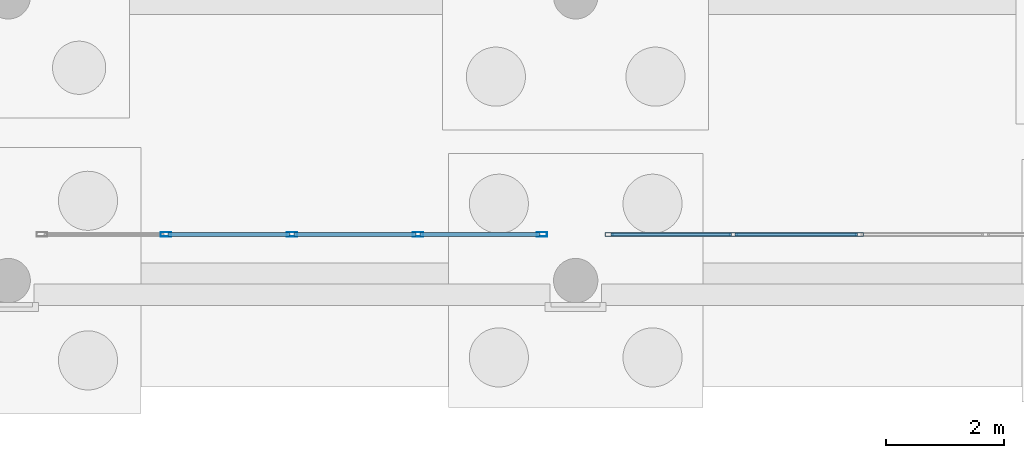
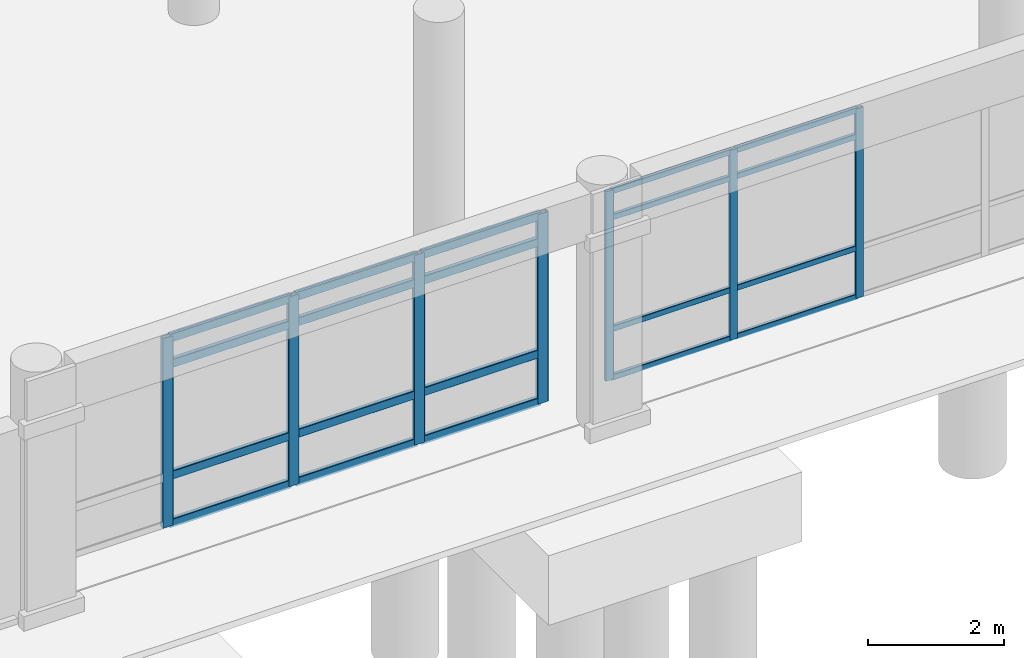
# One storey, part 123 of 196: 27 members, 2 elements without a shape of their own.
"""IFC4 building model written with IfcOpenShell, lengths in metres."""

from ifc_helpers import new_model, si_unit, direction, frame, origin, origin_2d, place, context, subcontext, project, spatial, hollow_rectangle, extrude, material, layer, layer_set, material_profile, profile_set, type_object, element, aggregate, save


model = new_model("IFC4")

# Units and contexts
model_context = context("Model", 3, precision=1e-05, world=origin(), true_north=direction((0.0, 1.0)))
body_context = subcontext(model_context, "Body", "Model", "MODEL_VIEW")
ifc_project = project(units=[si_unit("LENGTHUNIT", "METRE"), si_unit("AREAUNIT", "SQUARE_METRE"), si_unit("VOLUMEUNIT", "CUBIC_METRE"), si_unit("PLANEANGLEUNIT", "RADIAN"), si_unit("MASSUNIT", "GRAM", prefix="KILO")], contexts=[model_context])

# Site, building, storey
site_placement = place(None, origin())
site = spatial("IfcSite", under=ifc_project, at=site_placement, CompositionType="ELEMENT")
building_placement = place(site_placement, origin())
building = spatial("IfcBuilding", under=site, at=building_placement, Name="Asteropetra Specialist Clinic", CompositionType="ELEMENT")
storey_placement = place(building_placement, origin())
storey = spatial("IfcBuildingStorey", under=building, at=storey_placement, Name="L00", CompositionType="ELEMENT", Elevation=0.0)

# Curtain wall, members
ifc_material_1 = material(Name="Aluminium and low-E glass", Category="aluminium")
ifc_layer_1 = layer(ifc_material_1, 0.14990234375)
ifc_layer_set_1 = layer_set([ifc_layer_1], Name="Aluminium and low-E glass")
curtain_wall_type_1 = type_object("IfcCurtainWallType", Name="CW-SYS-11", PredefinedType="USERDEFINED", material=ifc_layer_set_1)
curtain_wall_1_placement = place(storey_placement, origin())
curtain_wall_1 = element("IfcCurtainWall", 1, at=curtain_wall_1_placement, inside=storey, type_object=curtain_wall_type_1, Name="Curtain Wall CW-194", ObjectType="STICK GLAZED COLONNADE", PredefinedType="USERDEFINED")
ifc_material_2 = material(Name="Aluminium 6063-T6", Category="aluminium")
ifc_material_profile_1 = material_profile(ifc_material_2, hollow_rectangle(XDim=0.06005859375, YDim=0.135009765625, WallThickness=0.00341796875, InnerFilletRadius=0.00341796875, OuterFilletRadius=0.007080078125, at=origin_2d()), Name="MUL 135x60x3.5")
ifc_profile_set_1 = profile_set([ifc_material_profile_1], Name="Aluminium 6063-T6")
member_type_1 = type_object("IfcMemberType", Name="CWM-135x60", PredefinedType="MULLION", material=ifc_profile_set_1)
member_1_placement = place(storey_placement, frame((134.965087890625, 0.780029296875, 0.0), z_axis=(0.0, 0.0, 1.0), x_axis=(0.0, 1.0, 0.0)))
member_1 = element("IfcMember", 2, at=member_1_placement, type_object=member_type_1, Name="CW-194 mullion 1", PredefinedType="MULLION", context=body_context, shape_type="SweptSolid", body=[
    extrude(hollow_rectangle(XDim=0.06005859375, YDim=0.135009765625, WallThickness=0.00341796875, InnerFilletRadius=0.00341796875, OuterFilletRadius=0.007080078125, at=origin_2d()), origin(), (0.0, 0.0, 1.0), 3.39990234375),
])
member_2_placement = place(storey_placement, frame((137.0673828125, 0.780029296875, 0.0), z_axis=(0.0, 0.0, 1.0), x_axis=(0.0, 1.0, 0.0)))
member_2 = element("IfcMember", 3, at=member_2_placement, type_object=member_type_1, Name="CW-194 mullion 2", PredefinedType="MULLION", context=body_context, shape_type="SweptSolid", body=[
    extrude(hollow_rectangle(XDim=0.06005859375, YDim=0.135009765625, WallThickness=0.00341796875, InnerFilletRadius=0.00341796875, OuterFilletRadius=0.007080078125, at=origin_2d()), origin(), (0.0, 0.0, 1.0), 3.39990234375),
])
member_3_placement = place(storey_placement, frame((139.199951171875, 0.780029296875, 0.0), z_axis=(0.0, 0.0, 1.0), x_axis=(0.0, 1.0, 0.0)))
member_3 = element("IfcMember", 4, at=member_3_placement, type_object=member_type_1, Name="CW-194 mullion 3", PredefinedType="MULLION", context=body_context, shape_type="SweptSolid", body=[
    extrude(hollow_rectangle(XDim=0.06005859375, YDim=0.135009765625, WallThickness=0.00341796875, InnerFilletRadius=0.00341796875, OuterFilletRadius=0.007080078125, at=origin_2d()), origin(), (0.0, 0.0, 1.0), 3.39990234375),
])

ifc_material_3 = material(Name="Aluminium and low-E glass", Category="aluminium")
ifc_layer_2 = layer(ifc_material_3, 0.135009765625)
ifc_layer_set_2 = layer_set([ifc_layer_2], Name="Aluminium and low-E glass")
curtain_wall_type_2 = type_object("IfcCurtainWallType", Name="CW-SYS-09", PredefinedType="USERDEFINED", material=ifc_layer_set_2)
curtain_wall_2_placement = place(storey_placement, origin())
curtain_wall_2 = element("IfcCurtainWall", 5, at=curtain_wall_2_placement, inside=storey, type_object=curtain_wall_type_2, Name="Curtain Wall CW-192", ObjectType="STICK GLAZED COLONNADE", PredefinedType="USERDEFINED")
ifc_material_4 = material(Name="Aluminium 6063-T6", Category="aluminium")
ifc_material_profile_2 = material_profile(ifc_material_4, hollow_rectangle(XDim=0.074951171875, YDim=0.179931640625, WallThickness=0.00390625, InnerFilletRadius=0.00390625, OuterFilletRadius=0.008056640625, at=origin_2d()), Name="MUL 180x75x4.0")
ifc_profile_set_2 = profile_set([ifc_material_profile_2], Name="Aluminium 6063-T6")
member_type_2 = type_object("IfcMemberType", Name="CWM-180x75", PredefinedType="MULLION", material=ifc_profile_set_2)
member_4_placement = place(storey_placement, frame((127.467529296875, 0.780029296875, 0.0), z_axis=(0.0, 0.0, 1.0), x_axis=(0.0, 1.0, 0.0)))
member_4 = element("IfcMember", 6, at=member_4_placement, type_object=member_type_2, Name="CW-192 mullion 2", PredefinedType="MULLION", context=body_context, shape_type="SweptSolid", body=[
    extrude(hollow_rectangle(XDim=0.074951171875, YDim=0.179931640625, WallThickness=0.00390625, InnerFilletRadius=0.00390625, OuterFilletRadius=0.008056640625, at=origin_2d()), origin(), (0.0, 0.0, 1.0), 3.39990234375),
])
member_5_placement = place(storey_placement, frame((129.60009765625, 0.780029296875, 0.0), z_axis=(0.0, 0.0, 1.0), x_axis=(0.0, 1.0, 0.0)))
member_5 = element("IfcMember", 7, at=member_5_placement, type_object=member_type_2, Name="CW-192 mullion 3", PredefinedType="MULLION", context=body_context, shape_type="SweptSolid", body=[
    extrude(hollow_rectangle(XDim=0.074951171875, YDim=0.179931640625, WallThickness=0.00390625, InnerFilletRadius=0.00390625, OuterFilletRadius=0.008056640625, at=origin_2d()), origin(), (0.0, 0.0, 1.0), 3.39990234375),
])
member_6_placement = place(storey_placement, frame((131.732421875, 0.780029296875, 0.0), z_axis=(0.0, 0.0, 1.0), x_axis=(0.0, 1.0, 0.0)))
member_6 = element("IfcMember", 8, at=member_6_placement, type_object=member_type_2, Name="CW-192 mullion 4", PredefinedType="MULLION", context=body_context, shape_type="SweptSolid", body=[
    extrude(hollow_rectangle(XDim=0.074951171875, YDim=0.179931640625, WallThickness=0.00390625, InnerFilletRadius=0.00390625, OuterFilletRadius=0.008056640625, at=origin_2d()), origin(), (0.0, 0.0, 1.0), 3.39990234375),
])
member_7_placement = place(storey_placement, frame((133.827392578125, 0.780029296875, 0.0), z_axis=(0.0, 0.0, 1.0), x_axis=(0.0, 1.0, 0.0)))
member_7 = element("IfcMember", 9, at=member_7_placement, type_object=member_type_2, Name="CW-192 mullion 5", PredefinedType="MULLION", context=body_context, shape_type="SweptSolid", body=[
    extrude(hollow_rectangle(XDim=0.074951171875, YDim=0.179931640625, WallThickness=0.00390625, InnerFilletRadius=0.00390625, OuterFilletRadius=0.008056640625, at=origin_2d()), origin(), (0.0, 0.0, 1.0), 3.39990234375),
])

# Member
ifc_material_5 = material(Name="Aluminium 6063-T6", Category="aluminium")
ifc_material_profile_3 = material_profile(ifc_material_5, hollow_rectangle(XDim=0.06005859375, YDim=0.10009765625, WallThickness=0.00341796875, InnerFilletRadius=0.00341796875, OuterFilletRadius=0.007080078125, at=origin_2d()), Name="TRN 100x60x3.5")
ifc_profile_set_3 = profile_set([ifc_material_profile_3], Name="Aluminium 6063-T6")
member_type_3 = type_object("IfcMemberType", Name="CWT-100x60", PredefinedType="USERDEFINED", material=ifc_profile_set_3)
member_8_placement = place(storey_placement, frame((134.9951171875, 0.780029296875, 0.030029296875), z_axis=(1.0, 0.0, 0.0), x_axis=(0.0, 1.0, 0.0)))
member_8 = element("IfcMember", 10, at=member_8_placement, type_object=member_type_3, Name="CW-194 transom 1.1", ObjectType="TRANSOM", PredefinedType="USERDEFINED", context=body_context, shape_type="SweptSolid", body=[
    extrude(hollow_rectangle(XDim=0.06005859375, YDim=0.10009765625, WallThickness=0.00341796875, InnerFilletRadius=0.00341796875, OuterFilletRadius=0.007080078125, at=origin_2d()), origin(), (0.0, 0.0, 1.0), 2.04248046875),
])

member_9_placement = place(storey_placement, frame((134.9951171875, 0.780029296875, 0.89990234375), z_axis=(1.0, 0.0, 0.0), x_axis=(0.0, 1.0, 0.0)))
member_9 = element("IfcMember", 11, at=member_9_placement, type_object=member_type_3, Name="CW-194 transom 1.2", ObjectType="TRANSOM", PredefinedType="USERDEFINED", context=body_context, shape_type="SweptSolid", body=[
    extrude(hollow_rectangle(XDim=0.06005859375, YDim=0.10009765625, WallThickness=0.00341796875, InnerFilletRadius=0.00341796875, OuterFilletRadius=0.007080078125, at=origin_2d()), origin(), (0.0, 0.0, 1.0), 2.04248046875),
])

member_10_placement = place(storey_placement, frame((134.9951171875, 0.780029296875, 2.89990234375), z_axis=(1.0, 0.0, 0.0), x_axis=(0.0, 1.0, 0.0)))
member_10 = element("IfcMember", 12, at=member_10_placement, type_object=member_type_3, Name="CW-194 transom 1.3", ObjectType="TRANSOM", PredefinedType="USERDEFINED", context=body_context, shape_type="SweptSolid", body=[
    extrude(hollow_rectangle(XDim=0.06005859375, YDim=0.10009765625, WallThickness=0.00341796875, InnerFilletRadius=0.00341796875, OuterFilletRadius=0.007080078125, at=origin_2d()), origin(), (0.0, 0.0, 1.0), 2.04248046875),
])

member_11_placement = place(storey_placement, frame((134.9951171875, 0.780029296875, 3.3701171875), z_axis=(1.0, 0.0, 0.0), x_axis=(0.0, 1.0, 0.0)))
member_11 = element("IfcMember", 13, at=member_11_placement, type_object=member_type_3, Name="CW-194 transom 1.4", ObjectType="TRANSOM", PredefinedType="USERDEFINED", context=body_context, shape_type="SweptSolid", body=[
    extrude(hollow_rectangle(XDim=0.06005859375, YDim=0.10009765625, WallThickness=0.00341796875, InnerFilletRadius=0.00341796875, OuterFilletRadius=0.007080078125, at=origin_2d()), origin(), (0.0, 0.0, 1.0), 2.04248046875),
])

member_12_placement = place(storey_placement, frame((137.097412109375, 0.780029296875, 0.030029296875), z_axis=(1.0, 0.0, 0.0), x_axis=(0.0, 1.0, 0.0)))
member_12 = element("IfcMember", 14, at=member_12_placement, type_object=member_type_3, Name="CW-194 transom 2.1", ObjectType="TRANSOM", PredefinedType="USERDEFINED", context=body_context, shape_type="SweptSolid", body=[
    extrude(hollow_rectangle(XDim=0.06005859375, YDim=0.10009765625, WallThickness=0.00341796875, InnerFilletRadius=0.00341796875, OuterFilletRadius=0.007080078125, at=origin_2d()), origin(), (0.0, 0.0, 1.0), 2.072509765625),
])

member_13_placement = place(storey_placement, frame((137.097412109375, 0.780029296875, 0.89990234375), z_axis=(1.0, 0.0, 0.0), x_axis=(0.0, 1.0, 0.0)))
member_13 = element("IfcMember", 15, at=member_13_placement, type_object=member_type_3, Name="CW-194 transom 2.2", ObjectType="TRANSOM", PredefinedType="USERDEFINED", context=body_context, shape_type="SweptSolid", body=[
    extrude(hollow_rectangle(XDim=0.06005859375, YDim=0.10009765625, WallThickness=0.00341796875, InnerFilletRadius=0.00341796875, OuterFilletRadius=0.007080078125, at=origin_2d()), origin(), (0.0, 0.0, 1.0), 2.072509765625),
])

member_14_placement = place(storey_placement, frame((137.097412109375, 0.780029296875, 2.89990234375), z_axis=(1.0, 0.0, 0.0), x_axis=(0.0, 1.0, 0.0)))
member_14 = element("IfcMember", 16, at=member_14_placement, type_object=member_type_3, Name="CW-194 transom 2.3", ObjectType="TRANSOM", PredefinedType="USERDEFINED", context=body_context, shape_type="SweptSolid", body=[
    extrude(hollow_rectangle(XDim=0.06005859375, YDim=0.10009765625, WallThickness=0.00341796875, InnerFilletRadius=0.00341796875, OuterFilletRadius=0.007080078125, at=origin_2d()), origin(), (0.0, 0.0, 1.0), 2.072509765625),
])

member_15_placement = place(storey_placement, frame((137.097412109375, 0.780029296875, 3.3701171875), z_axis=(1.0, 0.0, 0.0), x_axis=(0.0, 1.0, 0.0)))
member_15 = element("IfcMember", 17, at=member_15_placement, type_object=member_type_3, Name="CW-194 transom 2.4", ObjectType="TRANSOM", PredefinedType="USERDEFINED", context=body_context, shape_type="SweptSolid", body=[
    extrude(hollow_rectangle(XDim=0.06005859375, YDim=0.10009765625, WallThickness=0.00341796875, InnerFilletRadius=0.00341796875, OuterFilletRadius=0.007080078125, at=origin_2d()), origin(), (0.0, 0.0, 1.0), 2.072509765625),
])

aggregate(curtain_wall_1, [member_1, member_2, member_3, member_8, member_9, member_10, member_11, member_12, member_13, member_14, member_15])

ifc_material_6 = material(Name="Aluminium 6063-T6", Category="aluminium")
ifc_material_profile_4 = material_profile(ifc_material_6, hollow_rectangle(XDim=0.074951171875, YDim=0.14990234375, WallThickness=0.00390625, InnerFilletRadius=0.00390625, OuterFilletRadius=0.008056640625, at=origin_2d()), Name="TRN 150x75x4.0")
ifc_profile_set_4 = profile_set([ifc_material_profile_4], Name="Aluminium 6063-T6")
member_type_4 = type_object("IfcMemberType", Name="CWT-150x75", PredefinedType="USERDEFINED", material=ifc_profile_set_4)
member_16_placement = place(storey_placement, frame((127.5048828125, 0.780029296875, 0.03759765625), z_axis=(1.0, 0.0, 0.0), x_axis=(0.0, 1.0, 0.0)))
member_16 = element("IfcMember", 18, at=member_16_placement, type_object=member_type_4, Name="CW-192 transom 2.1", ObjectType="TRANSOM", PredefinedType="USERDEFINED", context=body_context, shape_type="SweptSolid", body=[
    extrude(hollow_rectangle(XDim=0.074951171875, YDim=0.14990234375, WallThickness=0.00390625, InnerFilletRadius=0.00390625, OuterFilletRadius=0.008056640625, at=origin_2d()), origin(), (0.0, 0.0, 1.0), 2.0576171875),
])

member_17_placement = place(storey_placement, frame((127.5048828125, 0.780029296875, 0.89990234375), z_axis=(1.0, 0.0, 0.0), x_axis=(0.0, 1.0, 0.0)))
member_17 = element("IfcMember", 19, at=member_17_placement, type_object=member_type_4, Name="CW-192 transom 2.2", ObjectType="TRANSOM", PredefinedType="USERDEFINED", context=body_context, shape_type="SweptSolid", body=[
    extrude(hollow_rectangle(XDim=0.074951171875, YDim=0.14990234375, WallThickness=0.00390625, InnerFilletRadius=0.00390625, OuterFilletRadius=0.008056640625, at=origin_2d()), origin(), (0.0, 0.0, 1.0), 2.0576171875),
])

member_18_placement = place(storey_placement, frame((127.5048828125, 0.780029296875, 2.89990234375), z_axis=(1.0, 0.0, 0.0), x_axis=(0.0, 1.0, 0.0)))
member_18 = element("IfcMember", 20, at=member_18_placement, type_object=member_type_4, Name="CW-192 transom 2.3", ObjectType="TRANSOM", PredefinedType="USERDEFINED", context=body_context, shape_type="SweptSolid", body=[
    extrude(hollow_rectangle(XDim=0.074951171875, YDim=0.14990234375, WallThickness=0.00390625, InnerFilletRadius=0.00390625, OuterFilletRadius=0.008056640625, at=origin_2d()), origin(), (0.0, 0.0, 1.0), 2.0576171875),
])

member_19_placement = place(storey_placement, frame((127.5048828125, 0.780029296875, 3.362548828125), z_axis=(1.0, 0.0, 0.0), x_axis=(0.0, 1.0, 0.0)))
member_19 = element("IfcMember", 21, at=member_19_placement, type_object=member_type_4, Name="CW-192 transom 2.4", ObjectType="TRANSOM", PredefinedType="USERDEFINED", context=body_context, shape_type="SweptSolid", body=[
    extrude(hollow_rectangle(XDim=0.074951171875, YDim=0.14990234375, WallThickness=0.00390625, InnerFilletRadius=0.00390625, OuterFilletRadius=0.008056640625, at=origin_2d()), origin(), (0.0, 0.0, 1.0), 2.0576171875),
])

member_20_placement = place(storey_placement, frame((129.637451171875, 0.780029296875, 0.03759765625), z_axis=(1.0, 0.0, 0.0), x_axis=(0.0, 1.0, 0.0)))
member_20 = element("IfcMember", 22, at=member_20_placement, type_object=member_type_4, Name="CW-192 transom 3.1", ObjectType="TRANSOM", PredefinedType="USERDEFINED", context=body_context, shape_type="SweptSolid", body=[
    extrude(hollow_rectangle(XDim=0.074951171875, YDim=0.14990234375, WallThickness=0.00390625, InnerFilletRadius=0.00390625, OuterFilletRadius=0.008056640625, at=origin_2d()), origin(), (0.0, 0.0, 1.0), 2.0576171875),
])

member_21_placement = place(storey_placement, frame((129.637451171875, 0.780029296875, 0.89990234375), z_axis=(1.0, 0.0, 0.0), x_axis=(0.0, 1.0, 0.0)))
member_21 = element("IfcMember", 23, at=member_21_placement, type_object=member_type_4, Name="CW-192 transom 3.2", ObjectType="TRANSOM", PredefinedType="USERDEFINED", context=body_context, shape_type="SweptSolid", body=[
    extrude(hollow_rectangle(XDim=0.074951171875, YDim=0.14990234375, WallThickness=0.00390625, InnerFilletRadius=0.00390625, OuterFilletRadius=0.008056640625, at=origin_2d()), origin(), (0.0, 0.0, 1.0), 2.0576171875),
])

member_22_placement = place(storey_placement, frame((129.637451171875, 0.780029296875, 2.89990234375), z_axis=(1.0, 0.0, 0.0), x_axis=(0.0, 1.0, 0.0)))
member_22 = element("IfcMember", 24, at=member_22_placement, type_object=member_type_4, Name="CW-192 transom 3.3", ObjectType="TRANSOM", PredefinedType="USERDEFINED", context=body_context, shape_type="SweptSolid", body=[
    extrude(hollow_rectangle(XDim=0.074951171875, YDim=0.14990234375, WallThickness=0.00390625, InnerFilletRadius=0.00390625, OuterFilletRadius=0.008056640625, at=origin_2d()), origin(), (0.0, 0.0, 1.0), 2.0576171875),
])

member_23_placement = place(storey_placement, frame((129.637451171875, 0.780029296875, 3.362548828125), z_axis=(1.0, 0.0, 0.0), x_axis=(0.0, 1.0, 0.0)))
member_23 = element("IfcMember", 25, at=member_23_placement, type_object=member_type_4, Name="CW-192 transom 3.4", ObjectType="TRANSOM", PredefinedType="USERDEFINED", context=body_context, shape_type="SweptSolid", body=[
    extrude(hollow_rectangle(XDim=0.074951171875, YDim=0.14990234375, WallThickness=0.00390625, InnerFilletRadius=0.00390625, OuterFilletRadius=0.008056640625, at=origin_2d()), origin(), (0.0, 0.0, 1.0), 2.0576171875),
])

member_24_placement = place(storey_placement, frame((131.77001953125, 0.780029296875, 0.03759765625), z_axis=(1.0, 0.0, 0.0), x_axis=(0.0, 1.0, 0.0)))
member_24 = element("IfcMember", 26, at=member_24_placement, type_object=member_type_4, Name="CW-192 transom 4.1", ObjectType="TRANSOM", PredefinedType="USERDEFINED", context=body_context, shape_type="SweptSolid", body=[
    extrude(hollow_rectangle(XDim=0.074951171875, YDim=0.14990234375, WallThickness=0.00390625, InnerFilletRadius=0.00390625, OuterFilletRadius=0.008056640625, at=origin_2d()), origin(), (0.0, 0.0, 1.0), 2.02001953125),
])

member_25_placement = place(storey_placement, frame((131.77001953125, 0.780029296875, 0.89990234375), z_axis=(1.0, 0.0, 0.0), x_axis=(0.0, 1.0, 0.0)))
member_25 = element("IfcMember", 27, at=member_25_placement, type_object=member_type_4, Name="CW-192 transom 4.2", ObjectType="TRANSOM", PredefinedType="USERDEFINED", context=body_context, shape_type="SweptSolid", body=[
    extrude(hollow_rectangle(XDim=0.074951171875, YDim=0.14990234375, WallThickness=0.00390625, InnerFilletRadius=0.00390625, OuterFilletRadius=0.008056640625, at=origin_2d()), origin(), (0.0, 0.0, 1.0), 2.02001953125),
])

member_26_placement = place(storey_placement, frame((131.77001953125, 0.780029296875, 2.89990234375), z_axis=(1.0, 0.0, 0.0), x_axis=(0.0, 1.0, 0.0)))
member_26 = element("IfcMember", 28, at=member_26_placement, type_object=member_type_4, Name="CW-192 transom 4.3", ObjectType="TRANSOM", PredefinedType="USERDEFINED", context=body_context, shape_type="SweptSolid", body=[
    extrude(hollow_rectangle(XDim=0.074951171875, YDim=0.14990234375, WallThickness=0.00390625, InnerFilletRadius=0.00390625, OuterFilletRadius=0.008056640625, at=origin_2d()), origin(), (0.0, 0.0, 1.0), 2.02001953125),
])

member_27_placement = place(storey_placement, frame((131.77001953125, 0.780029296875, 3.362548828125), z_axis=(1.0, 0.0, 0.0), x_axis=(0.0, 1.0, 0.0)))
member_27 = element("IfcMember", 29, at=member_27_placement, type_object=member_type_4, Name="CW-192 transom 4.4", ObjectType="TRANSOM", PredefinedType="USERDEFINED", context=body_context, shape_type="SweptSolid", body=[
    extrude(hollow_rectangle(XDim=0.074951171875, YDim=0.14990234375, WallThickness=0.00390625, InnerFilletRadius=0.00390625, OuterFilletRadius=0.008056640625, at=origin_2d()), origin(), (0.0, 0.0, 1.0), 2.02001953125),
])

aggregate(curtain_wall_2, [member_4, member_5, member_6, member_7, member_16, member_17, member_18, member_19, member_20, member_21, member_22, member_23, member_24, member_25, member_26, member_27])

save(model, "model.ifc")
